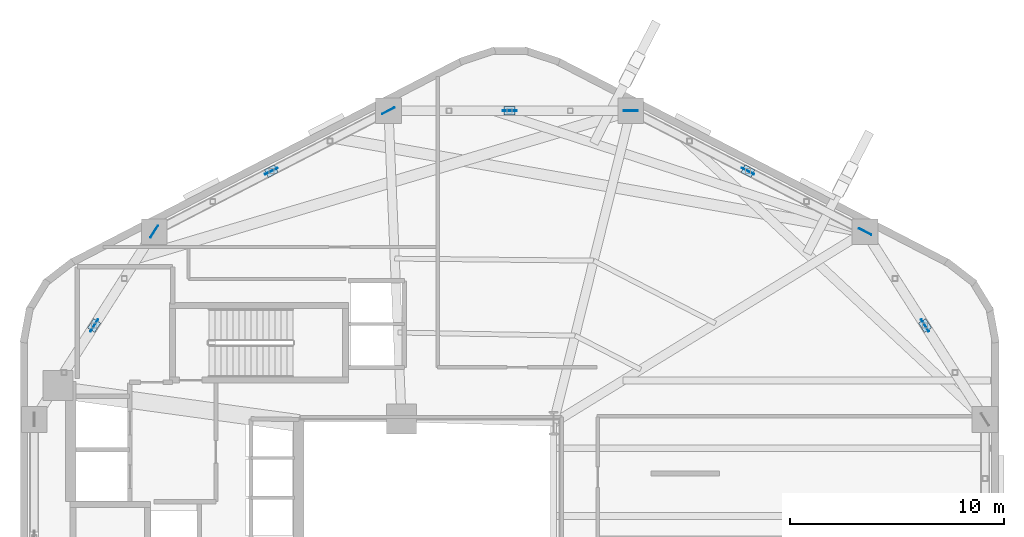
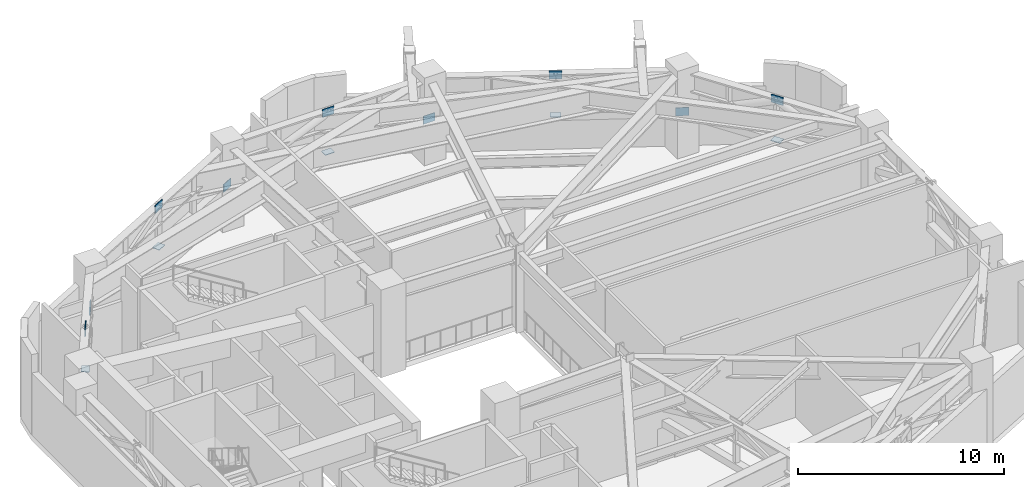
# One storey, part 9 of 14: 14 plates.
"""IFC4 building model written with IfcOpenShell, lengths in metres."""

from ifc_helpers import new_model, si_unit, direction, frame, origin, origin_2d, place, context, subcontext, project, spatial, rectangle, extrude, material, layer, layer_set, type_object, element, save


model = new_model("IFC4")

# Units and contexts
model_context = context("Model", 3, precision=1e-05, world=origin(), true_north=direction((0.0, 1.0)))
body_context = subcontext(model_context, "Body", "Model", "MODEL_VIEW")
ifc_project = project(units=[si_unit("LENGTHUNIT", "METRE"), si_unit("AREAUNIT", "SQUARE_METRE"), si_unit("VOLUMEUNIT", "CUBIC_METRE"), si_unit("PLANEANGLEUNIT", "RADIAN"), si_unit("MASSUNIT", "GRAM", prefix="KILO"), si_unit("THERMODYNAMICTEMPERATUREUNIT", "KELVIN"), si_unit("POWERUNIT", "WATT")], contexts=[model_context])

# Site, building, storey
site_placement = place(None, origin())
site = spatial("IfcSite", under=ifc_project, at=site_placement, CompositionType="ELEMENT")
building_placement = place(site_placement, origin())
building = spatial("IfcBuilding", under=site, at=building_placement, Name="Skarre Station Tower", CompositionType="ELEMENT")
storey_placement = place(building_placement, frame((0.0, 0.0, 96.35009765625)))
storey = spatial("IfcBuildingStorey", under=building, at=storey_placement, Name="L25", CompositionType="ELEMENT", Elevation=96.35009765625)

# Plates
ifc_material = material(Name="Steel ASTM A572 Grade 50", Category="steel")
ifc_layer_1 = layer(ifc_material, 0.028076171875, Name="Steel ASTM A572 Grade 50")
ifc_layer_set_1 = layer_set([ifc_layer_1], Name="Steel ASTM A572 Grade 50")
plate_type_1 = type_object("IfcPlateType", Name="Belt Truss End Cap Plate 520x400x28", PredefinedType="USERDEFINED", material=ifc_layer_set_1)
for number, where, z_axis, x_axis, name in (
    (1, (48.533935546875, 41.123046875, 2.23583984375), (0.0, 0.0, 1.0), (-0.888657253995, 0.458572006256, 0.0), "L25 Belt Truss Chord Cap Plate 1"),
    (2, (37.39990234375, 43.947021484375, 2.23583984375), (0.0, 0.0, 1.0), (-1.0, 0.0, 0.0), "L25 Belt Truss Chord Cap Plate 2"),
    (3, (26.26708984375, 41.123046875, 2.23583984375), (0.0, 0.0, 1.0), (-0.888657253995, -0.458572006256, 0.0), "L25 Belt Truss Chord Cap Plate 3"),
    (4, (17.989990234375, 33.909912109375, 2.23583984375), (0.0, 0.0, 1.0), (-0.538285477923, -0.842762566953, 0.0), "L25 Belt Truss Chord Cap Plate 4"),
    (5, (56.81005859375, 33.909912109375, 2.23583984375), (0.0, 0.0, 1.0), (-0.538285477923, 0.842762566953, 0.0), "L25 Belt Truss Chord Cap Plate 12"),
):
    element("IfcPlate", number, at=place(storey_placement, frame(where, z_axis=z_axis, x_axis=x_axis)), inside=storey, type_object=plate_type_1, Name=name, ObjectType="STIFFENER_PLATE", PredefinedType="USERDEFINED", context=body_context, shape_type="SweptSolid", body=[
        extrude(rectangle(XDim=0.52001953125, YDim=0.39990234375, at=origin_2d()), origin(), (0.0, 0.0, 1.0), 0.028076171875),
    ])
ifc_layer_2 = layer(ifc_material, 0.035888671875, Name="Steel ASTM A572 Grade 50")
ifc_layer_set_2 = layer_set([ifc_layer_2], Name="Steel ASTM A572 Grade 50")
plate_type_2 = type_object("IfcPlateType", Name="Truss Node Gusset Plate 650x480x36", PredefinedType="USERDEFINED", material=ifc_layer_set_2)
for number, where, z_axis, x_axis, name in (
    (6, (48.533935546875, 41.123046875, 4.389892578125), (0.0, 0.0, 1.0), (-0.888657253995, 0.458572006256, 0.0), "L25 Belt Truss Apex Gusset Plate 1"),
    (7, (54.007080078125, 38.298095703125, 2.010009765625), (0.0, 0.0, 1.0), (-0.888657253995, 0.458572006256, 0.0), "L25 Belt Truss Node A Gusset Plate 1"),
    (8, (37.39990234375, 43.947021484375, 4.389892578125), (0.0, 0.0, 1.0), (-1.0, 0.0, 0.0), "L25 Belt Truss Apex Gusset Plate 2"),
    (9, (43.06005859375, 43.947021484375, 2.010009765625), (0.0, 0.0, 1.0), (-1.0, 0.0, 0.0), "L25 Belt Truss Node A Gusset Plate 2"),
    (10, (26.26708984375, 41.123046875, 4.389892578125), (0.0, 0.0, 1.0), (-0.888657253995, -0.458572006256, 0.0), "L25 Belt Truss Apex Gusset Plate 3"),
    (11, (31.739990234375, 43.947021484375, 2.010009765625), (0.0, 0.0, 1.0), (-0.888657253995, -0.458572006256, 0.0), "L25 Belt Truss Node A Gusset Plate 3"),
    (12, (17.989990234375, 33.909912109375, 4.389892578125), (0.0, 0.0, 1.0), (-0.538285477923, -0.842762566953, 0.0), "L25 Belt Truss Apex Gusset Plate 4"),
    (13, (20.79296875, 38.298095703125, 2.010009765625), (0.0, 0.0, 1.0), (-0.538285477923, -0.842762566953, 0.0), "L25 Belt Truss Node A Gusset Plate 4"),
    (14, (56.81005859375, 33.909912109375, 4.389892578125), (0.0, 0.0, 1.0), (-0.538285477923, 0.842762566953, 0.0), "L25 Belt Truss Apex Gusset Plate 12"),
):
    element("IfcPlate", number, at=place(storey_placement, frame(where, z_axis=z_axis, x_axis=x_axis)), inside=storey, type_object=plate_type_2, Name=name, ObjectType="GUSSET_PLATE", PredefinedType="USERDEFINED", context=body_context, shape_type="SweptSolid", body=[
        extrude(rectangle(XDim=0.64990234375, YDim=0.035888671875, at=origin_2d()), origin(), (0.0, 0.0, 1.0), 0.47998046875),
    ])

save(model, "model.ifc")
